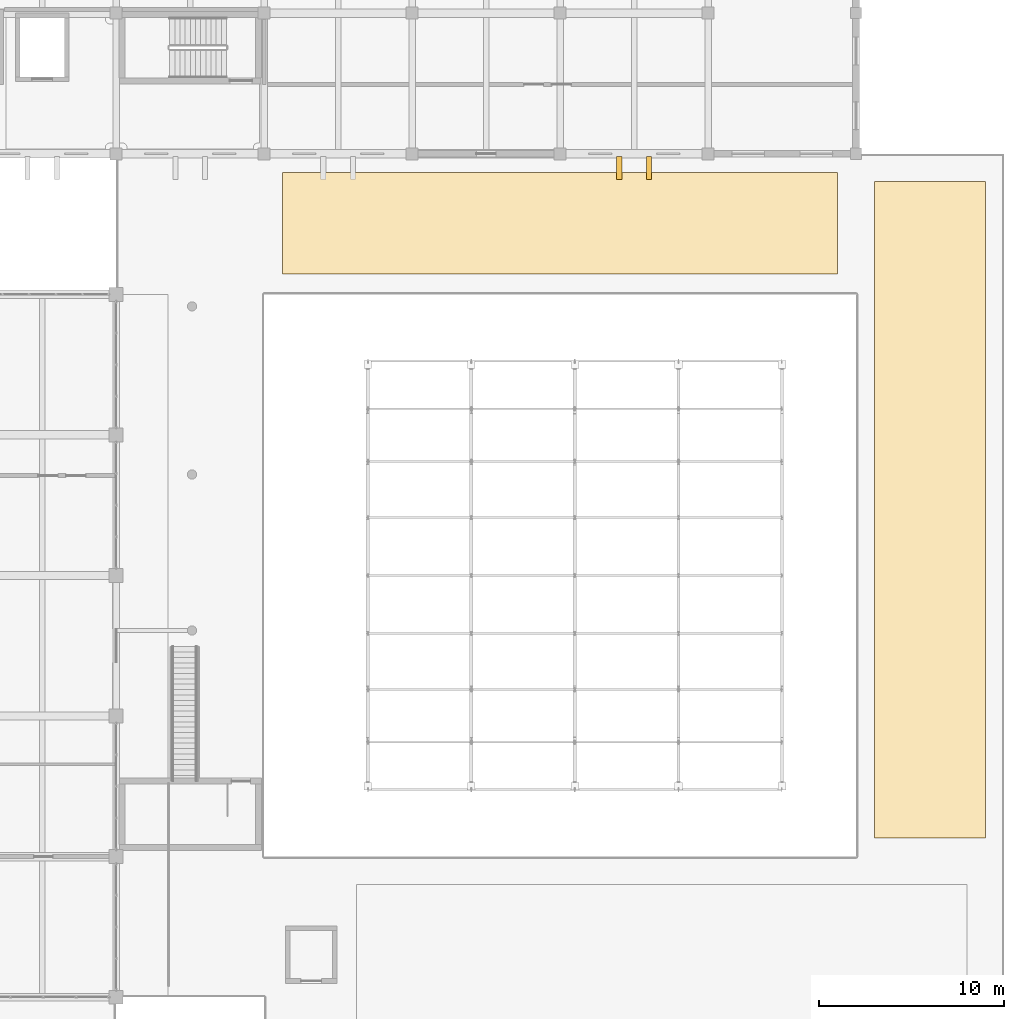
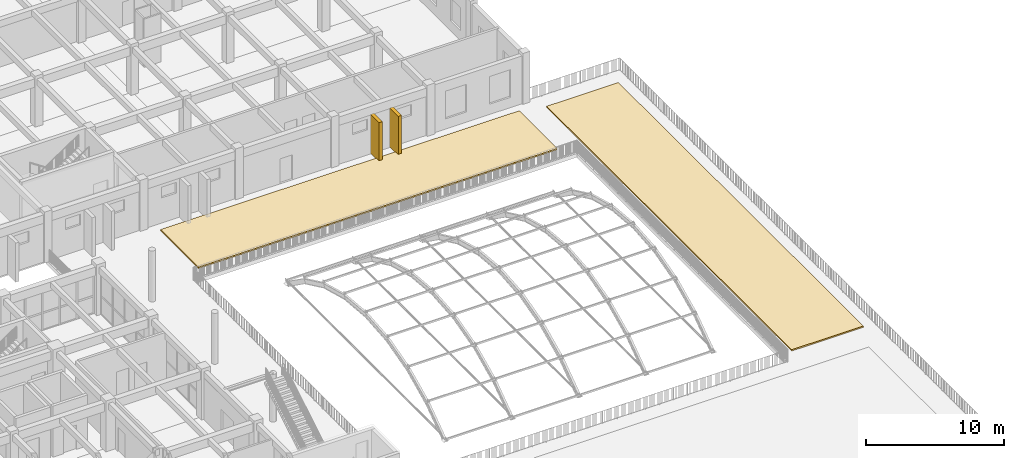
# One storey, part 79 of 79: 2 coverings, 2 shading devices.
"""IFC4 building model written with IfcOpenShell, lengths in metres."""

from ifc_helpers import new_model, si_unit, direction, frame, origin, origin_2d, place, context, subcontext, project, spatial, polyline, rectangle, outline, extrude, material, layer, layer_set, type_object, element, save


model = new_model("IFC4")

# Units and contexts
model_context = context("Model", 3, precision=1e-05, world=origin(), true_north=direction((0.0, 1.0)))
body_context = subcontext(model_context, "Body", "Model", "MODEL_VIEW")
ifc_project = project(units=[si_unit("LENGTHUNIT", "METRE"), si_unit("AREAUNIT", "SQUARE_METRE"), si_unit("VOLUMEUNIT", "CUBIC_METRE"), si_unit("PLANEANGLEUNIT", "RADIAN"), si_unit("MASSUNIT", "GRAM", prefix="KILO")], contexts=[model_context])

# Site, building, storey
site_placement = place(None, origin())
site = spatial("IfcSite", under=ifc_project, at=site_placement, CompositionType="ELEMENT")
building_placement = place(site_placement, origin())
building = spatial("IfcBuilding", under=site, at=building_placement, Name="Zantavel Square City Hall", CompositionType="ELEMENT")
storey_placement = place(building_placement, frame((0.0, 0.0, 10.199951171875)))
storey = spatial("IfcBuildingStorey", under=building, at=storey_placement, Name="L03", CompositionType="ELEMENT", Elevation=10.199951171875)

# Shading devices
ifc_material = material(Name="Cantera volcanic tuff stone", Category="masonry")
shading_device_type = type_object("IfcShadingDeviceType", Name="Cantera Vertical Solar Shading Pier 280x1240", PredefinedType="USERDEFINED", material=ifc_material)
for number, where, z_axis, x_axis, name in (
    (1, (140.800048828125, 75.239990234375, 0.0), (0.0, 0.0, 1.0), (1.0, 0.0, 0.0), "L03 Cantera Solar Pier 033"),
    (2, (139.199951171875, 75.239990234375, 0.0), (0.0, 0.0, 1.0), (1.0, 0.0, 0.0), "L03 Cantera Solar Pier 034"),
):
    element("IfcShadingDevice", number, at=place(storey_placement, frame(where, z_axis=z_axis, x_axis=x_axis)), inside=storey, type_object=shading_device_type, Name=name, ObjectType="FIN", PredefinedType="USERDEFINED", context=body_context, shape_type="SweptSolid", body=[
        extrude(rectangle(XDim=0.280029296875, YDim=1.239990234375, at=origin_2d()), origin(), (0.0, 0.0, 1.0), 3.469970703125),
    ])

# Coverings
ifc_layer = layer(ifc_material, 0.1201171875, Name="Cantera volcanic tuff stone")
ifc_layer_set = layer_set([ifc_layer], Name="Cantera volcanic tuff stone")
covering_type = type_object("IfcCoveringType", Name="Intensive Planted Green-Roof Substrate 120mm", PredefinedType="ROOFING", material=ifc_layer_set)
covering_1_placement = place(storey_placement, origin())
element("IfcCovering", 3, at=covering_1_placement, inside=storey, type_object=covering_type, Name="L03 Planted Roof Garden Substrate COV-GRN-2", PredefinedType="ROOFING", context=body_context, shape_type="SweptSolid", body=[
    extrude(outline(polyline([(153.0, 39.0), (159.0, 39.0), (159.0, 74.5), (153.0, 74.5), (153.0, 39.0)])), origin(), (0.0, 0.0, 1.0), 0.1201171875),
])
covering_2_placement = place(storey_placement, origin())
element("IfcCovering", 4, at=covering_2_placement, inside=storey, type_object=covering_type, Name="L03 Planted Roof Garden Substrate COV-GRN-3", PredefinedType="ROOFING", context=body_context, shape_type="SweptSolid", body=[
    extrude(outline(polyline([(121.0, 69.5), (151.0, 69.5), (151.0, 75.0), (121.0, 75.0), (121.0, 69.5)])), origin(), (0.0, 0.0, 1.0), 0.1201171875),
])

save(model, "model.ifc")
